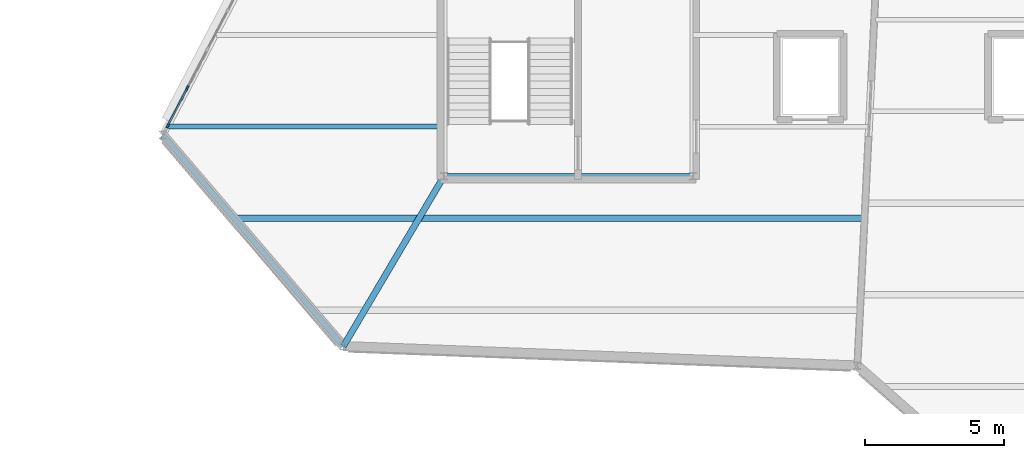
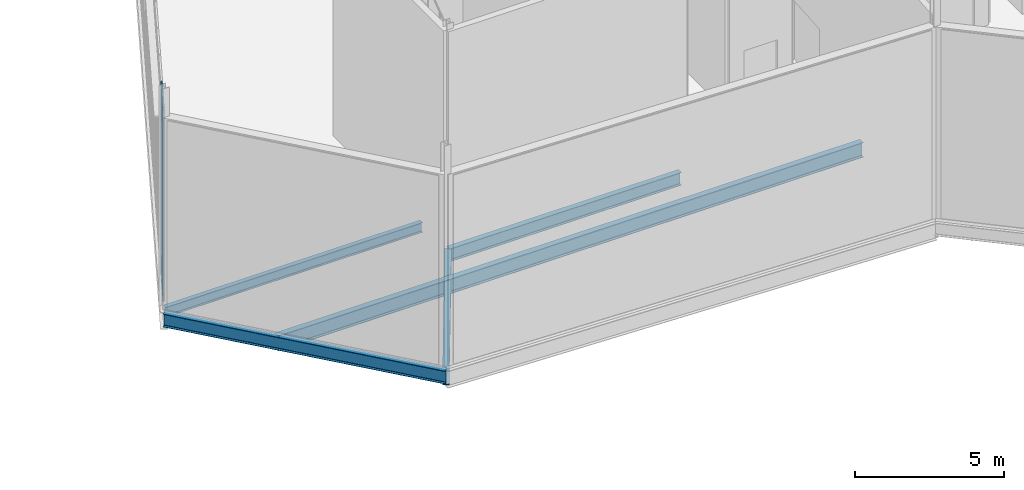
# One storey, part 32 of 66: 6 members, 5 beams, 1 element without a shape of its own.
"""IFC4 building model written with IfcOpenShell, lengths in metres."""

from ifc_helpers import new_model, si_unit, direction, frame, origin, origin_2d, place, context, subcontext, project, spatial, rectangle, i_section, extrude, material, material_profile, profile_set, type_object, element, aggregate, save


model = new_model("IFC4")

# Units and contexts
model_context = context("Model", 3, precision=1e-05, world=origin(), true_north=direction((0.0, 1.0)))
body_context = subcontext(model_context, "Body", "Model", "MODEL_VIEW")
ifc_project = project(units=[si_unit("LENGTHUNIT", "METRE"), si_unit("AREAUNIT", "SQUARE_METRE"), si_unit("VOLUMEUNIT", "CUBIC_METRE"), si_unit("PLANEANGLEUNIT", "RADIAN"), si_unit("MASSUNIT", "GRAM", prefix="KILO")], contexts=[model_context])

# Site, building, storey
site_placement = place(None, origin())
site = spatial("IfcSite", under=ifc_project, at=site_placement, CompositionType="ELEMENT")
building_placement = place(site_placement, origin())
building = spatial("IfcBuilding", under=site, at=building_placement, Name="Tameran Prism Museum", CompositionType="ELEMENT")
storey_placement = place(building_placement, frame((0.0, 0.0, 19.800048828125)))
storey = spatial("IfcBuildingStorey", under=building, at=storey_placement, Name="L04", CompositionType="ELEMENT", Elevation=19.800048828125)

# Beams
ifc_material_1 = material(Name="Steel Grade 300PLUS (300 MPa)", Category="steel")
ifc_material_profile_1 = material_profile(ifc_material_1, i_section(OverallWidth=0.177978515625, OverallDepth=0.403076171875, WebThickness=0.007568359375, FlangeThickness=0.010986328125, FilletRadius=0.011474609375, at=origin_2d()))
ifc_profile_set_1 = profile_set([ifc_material_profile_1])
beam_type_1 = type_object("IfcBeamType", Name="BM-J410B", PredefinedType="JOIST", material=ifc_profile_set_1)
beam_1_placement = place(storey_placement, frame((93.10205078125, 79.199951171875, -0.441650390625), z_axis=(1.0, 0.0, 0.0), x_axis=(0.0, 1.0, 0.0)))
element("IfcBeam", 1, at=beam_1_placement, inside=storey, type_object=beam_type_1, Name="Floor Beam BM-1199", PredefinedType="JOIST", context=body_context, shape_type="SweptSolid", body=[
    extrude(i_section(OverallWidth=0.177978515625, OverallDepth=0.403076171875, WebThickness=0.007568359375, FlangeThickness=0.010986328125, FilletRadius=0.011474609375, at=origin_2d()), origin(), (0.0, 0.0, 1.0), 9.91796875),
])
ifc_material_2 = material(Name="Steel Grade 300PLUS (300 MPa)", Category="steel")
ifc_material_profile_2 = material_profile(ifc_material_2, i_section(OverallWidth=0.208984375, OverallDepth=0.532958984375, WebThickness=0.01025390625, FlangeThickness=0.015625, FilletRadius=0.013916015625, at=origin_2d()))
ifc_profile_set_2 = profile_set([ifc_material_profile_2])
beam_type_2 = type_object("IfcBeamType", Name="BM-SP530A", PredefinedType="SPANDREL", material=ifc_profile_set_2)
beam_2_placement = place(storey_placement, frame((92.89990234375, 78.89990234375, -0.506591796875), z_axis=(0.649974737731, -0.75995581471, 0.0), x_axis=(0.75995581471, 0.649974737731, 0.0)))
element("IfcBeam", 2, at=beam_2_placement, inside=storey, type_object=beam_type_2, Name="Perimeter Spandrel SP-1144", PredefinedType="SPANDREL", context=body_context, shape_type="SweptSolid", body=[
    extrude(i_section(OverallWidth=0.208984375, OverallDepth=0.532958984375, WebThickness=0.01025390625, FlangeThickness=0.015625, FilletRadius=0.013916015625, at=origin_2d()), origin(), (0.0, 0.0, 1.0), 10.00048828125),
])
ifc_material_3 = material(Name="Steel Grade 300PLUS (300 MPa)", Category="steel")
ifc_material_profile_3 = material_profile(ifc_material_3, i_section(OverallWidth=0.208984375, OverallDepth=0.528076171875, WebThickness=0.009521484375, FlangeThickness=0.01318359375, FilletRadius=0.013916015625, at=origin_2d()))
ifc_profile_set_3 = profile_set([ifc_material_profile_3])
beam_type_3 = type_object("IfcBeamType", Name="BM-SP530B", PredefinedType="SPANDREL", material=ifc_profile_set_3)
beam_3_placement = place(storey_placement, frame((103.02001953125, 77.419921875, -0.504150390625), z_axis=(1.0, 0.0, 0.0), x_axis=(0.0, 1.0, 0.0)))
element("IfcBeam", 3, at=beam_3_placement, inside=storey, type_object=beam_type_3, Name="Core Ring Beam CTB-1177", PredefinedType="SPANDREL", context=body_context, shape_type="SweptSolid", body=[
    extrude(i_section(OverallWidth=0.208984375, OverallDepth=0.528076171875, WebThickness=0.009521484375, FlangeThickness=0.01318359375, FilletRadius=0.013916015625, at=origin_2d()), origin(), (0.0, 0.0, 1.0), 8.9599609375),
])
ifc_material_4 = material(Name="Steel Grade 300PLUS (300 MPa)", Category="steel")
ifc_material_profile_4 = material_profile(ifc_material_4, i_section(OverallWidth=0.22900390625, OverallDepth=0.612060546875, WebThickness=0.011962890625, FlangeThickness=0.01953125, FilletRadius=0.013916015625, at=origin_2d()))
ifc_profile_set_4 = profile_set([ifc_material_profile_4])
beam_type_4 = type_object("IfcBeamType", Name="BM-UB610A", PredefinedType="BEAM", material=ifc_profile_set_4)
beam_4_placement = place(storey_placement, frame((103.02001953125, 77.419921875, -0.56005859375), z_axis=(-0.50912834972, -0.860690608472, 0.0), x_axis=(0.860690608472, -0.50912834972, 0.0)))
element("IfcBeam", 4, at=beam_4_placement, inside=storey, type_object=beam_type_4, Name="Frame Tie Girder FG-1385", PredefinedType="BEAM", context=body_context, shape_type="SweptSolid", body=[
    extrude(i_section(OverallWidth=0.22900390625, OverallDepth=0.612060546875, WebThickness=0.011962890625, FlangeThickness=0.01953125, FilletRadius=0.013916015625, at=origin_2d()), origin(), (0.0, 0.0, 1.0), 7.1103515625),
])
ifc_material_5 = material(Name="Steel Grade 300PLUS (300 MPa)", Category="steel")
ifc_material_profile_5 = material_profile(ifc_material_5, i_section(OverallWidth=0.22802734375, OverallDepth=0.60693359375, WebThickness=0.01123046875, FlangeThickness=0.017333984375, FilletRadius=0.013916015625, at=origin_2d()))
ifc_profile_set_5 = profile_set([ifc_material_profile_5])
beam_type_5 = type_object("IfcBeamType", Name="BM-UB610B", PredefinedType="BEAM", material=ifc_profile_set_5)
beam_5_placement = place(storey_placement, frame((95.51806640625, 75.89990234375, -0.54345703125), z_axis=(1.0, 0.0, 0.0), x_axis=(0.0, 1.0, 0.0)))
element("IfcBeam", 5, at=beam_5_placement, inside=storey, type_object=beam_type_5, Name="Floor Beam BM-1198", PredefinedType="BEAM", context=body_context, shape_type="SweptSolid", body=[
    extrude(i_section(OverallWidth=0.22802734375, OverallDepth=0.60693359375, WebThickness=0.01123046875, FlangeThickness=0.017333984375, FilletRadius=0.013916015625, at=origin_2d()), origin(), (0.0, 0.0, 1.0), 22.599853515625),
])

# Curtain wall, members
ifc_material_6 = material(Name="Anodised Aluminium 6063-T6 and Cyclone Solar Glass", Category="aluminium")
curtain_wall_type = type_object("IfcCurtainWallType", Name="CW-FAC-2192x782", PredefinedType="USERDEFINED", material=ifc_material_6)
curtain_wall_placement = place(storey_placement, origin())
curtain_wall = element("IfcCurtainWall", 6, at=curtain_wall_placement, inside=storey, type_object=curtain_wall_type, Name="Unitised Curtain Wall CW-151", ObjectType="UNITISED CURTAIN WALL", PredefinedType="USERDEFINED")
ifc_material_7 = material(Name="Anodised Aluminium Alloy 6063-T6", Category="aluminium")
ifc_material_profile_6 = material_profile(ifc_material_7, rectangle(XDim=0.06494140625, YDim=0.159912109375, at=origin_2d()))
ifc_profile_set_6 = profile_set([ifc_material_profile_6])
member_type_1 = type_object("IfcMemberType", Name="CW-MUL-A", PredefinedType="MULLION", material=ifc_profile_set_6)
member_1_placement = place(storey_placement, frame((93.0771484375, 79.23876953125, 0.0), z_axis=(0.0, 0.0, 1.0), x_axis=(-0.886356952612, 0.463002540551, 0.0)))
member_1 = element("IfcMember", 7, at=member_1_placement, type_object=member_type_1, Name="CW-151 mullion 1", PredefinedType="MULLION", context=body_context, shape_type="SweptSolid", body=[
    extrude(rectangle(XDim=0.06494140625, YDim=0.159912109375, at=origin_2d()), origin(), (0.0, 0.0, 1.0), 7.820068359375),
])
member_2_placement = place(storey_placement, frame((93.786865234375, 80.59765625, 0.0), z_axis=(0.0, 0.0, 1.0), x_axis=(-0.886356952612, 0.463002540551, 0.0)))
member_2 = element("IfcMember", 8, at=member_2_placement, type_object=member_type_1, Name="CW-151 mullion 2", PredefinedType="MULLION", context=body_context, shape_type="SweptSolid", body=[
    extrude(rectangle(XDim=0.06494140625, YDim=0.159912109375, at=origin_2d()), origin(), (0.0, 0.0, 1.0), 7.820068359375),
])
ifc_material_8 = material(Name="Anodised Aluminium Alloy 6063-T6", Category="aluminium")
ifc_material_profile_7 = material_profile(ifc_material_8, rectangle(XDim=0.06494140625, YDim=0.139892578125, at=origin_2d()))
ifc_profile_set_7 = profile_set([ifc_material_profile_7])
member_type_2 = type_object("IfcMemberType", Name="CW-TRN-A", PredefinedType="USERDEFINED", material=ifc_profile_set_7)
member_3_placement = place(storey_placement, frame((93.092041015625, 79.267578125, 0.032470703125), z_axis=(0.462975155635, 0.886371257016, 0.0), x_axis=(-0.886371257016, 0.462975155635, 0.0)))
member_3 = element("IfcMember", 9, at=member_3_placement, type_object=member_type_2, Name="CW-151 transom 1.1", ObjectType="TRANSOM", PredefinedType="USERDEFINED", context=body_context, shape_type="SweptSolid", body=[
    extrude(rectangle(XDim=0.06494140625, YDim=0.139892578125, at=origin_2d()), origin(), (0.0, 0.0, 1.0), 1.468017578125),
])
member_4_placement = place(storey_placement, frame((93.092041015625, 79.267578125, 1.0), z_axis=(0.462975155635, 0.886371257016, 0.0), x_axis=(-0.886371257016, 0.462975155635, 0.0)))
member_4 = element("IfcMember", 10, at=member_4_placement, type_object=member_type_2, Name="CW-151 transom 1.2", ObjectType="TRANSOM", PredefinedType="USERDEFINED", context=body_context, shape_type="SweptSolid", body=[
    extrude(rectangle(XDim=0.06494140625, YDim=0.139892578125, at=origin_2d()), origin(), (0.0, 0.0, 1.0), 1.468017578125),
])
member_5_placement = place(storey_placement, frame((93.092041015625, 79.267578125, 7.139892578125), z_axis=(0.462975155635, 0.886371257016, 0.0), x_axis=(-0.886371257016, 0.462975155635, 0.0)))
member_5 = element("IfcMember", 11, at=member_5_placement, type_object=member_type_2, Name="CW-151 transom 1.3", ObjectType="TRANSOM", PredefinedType="USERDEFINED", context=body_context, shape_type="SweptSolid", body=[
    extrude(rectangle(XDim=0.06494140625, YDim=0.139892578125, at=origin_2d()), origin(), (0.0, 0.0, 1.0), 1.468017578125),
])
member_6_placement = place(storey_placement, frame((93.092041015625, 79.267578125, 7.787353515625), z_axis=(0.462975155635, 0.886371257016, 0.0), x_axis=(-0.886371257016, 0.462975155635, 0.0)))
member_6 = element("IfcMember", 12, at=member_6_placement, type_object=member_type_2, Name="CW-151 transom 1.4", ObjectType="TRANSOM", PredefinedType="USERDEFINED", context=body_context, shape_type="SweptSolid", body=[
    extrude(rectangle(XDim=0.06494140625, YDim=0.139892578125, at=origin_2d()), origin(), (0.0, 0.0, 1.0), 1.468017578125),
])
aggregate(curtain_wall, [member_1, member_2, member_3, member_4, member_5, member_6])

save(model, "model.ifc")
